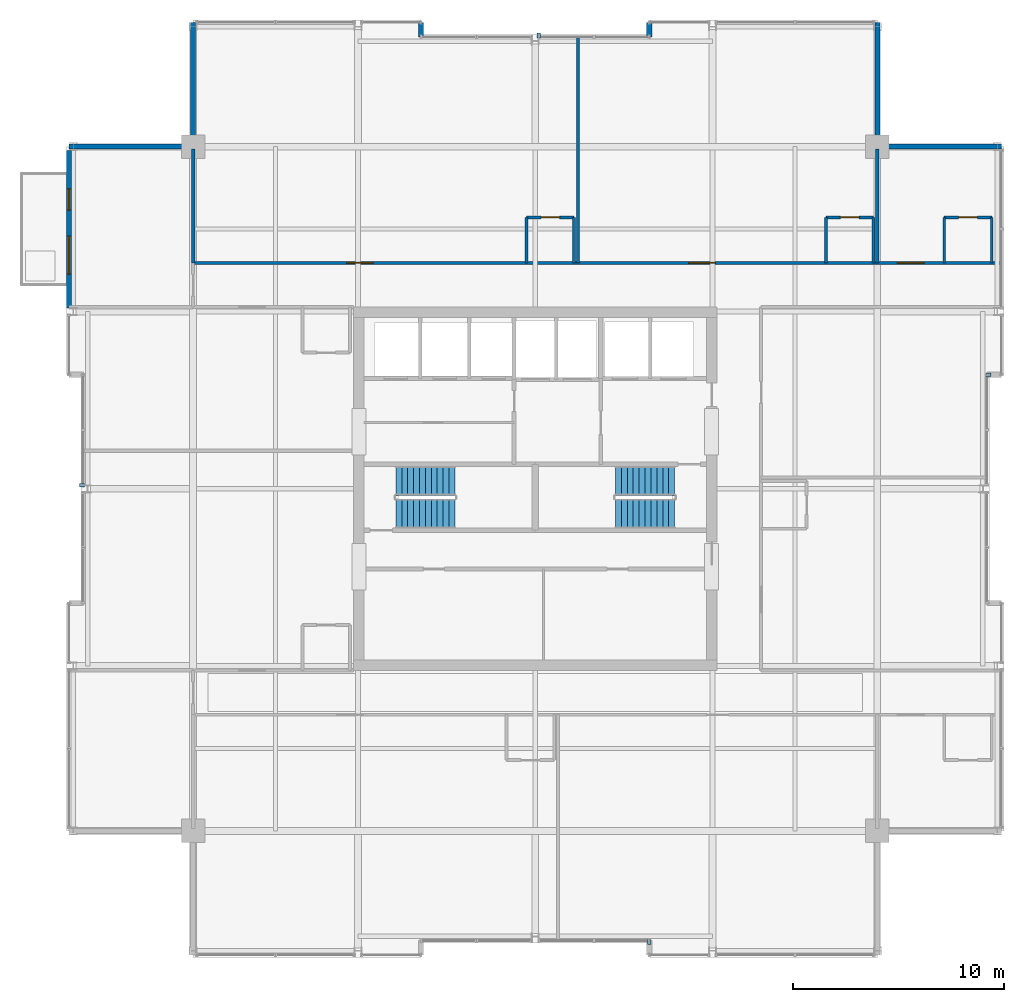
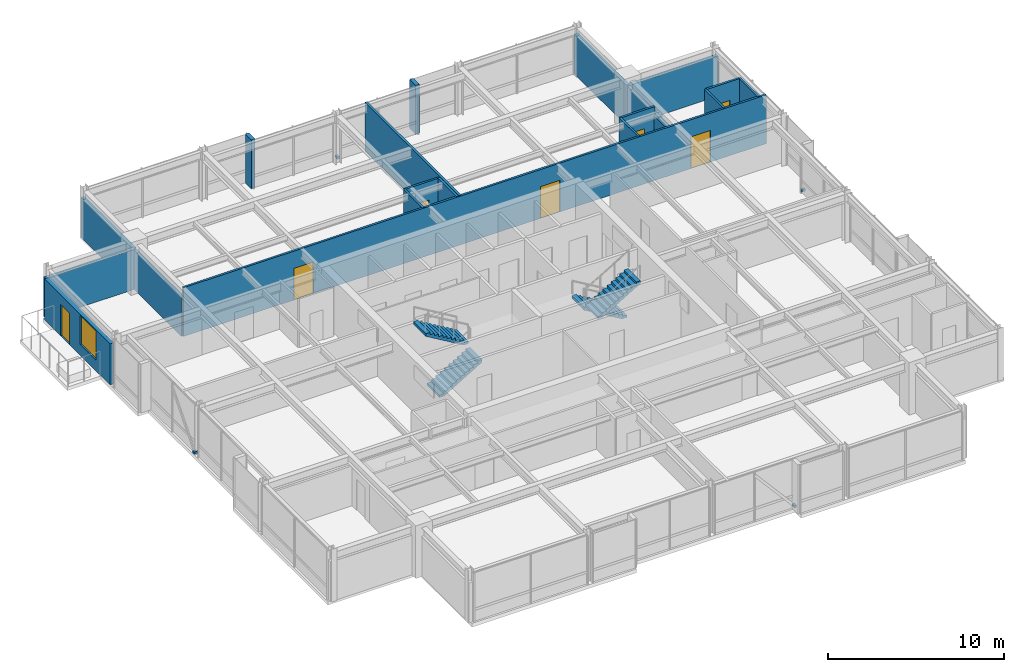
# One storey, part 30 of 33: 20 walls, 7 doors, 4 discrete accessories, 4 stair flights, 1 window, 8 openings, 2 elements without a shape of their own.
"""IFC4 building model written with IfcOpenShell, lengths in metres."""

from ifc_helpers import new_model, si_unit, direction, frame, frame_2d, origin, origin_2d, place, context, subcontext, project, spatial, polyline, rectangle, outline, extrude, material, layer, layer_set, type_object, element, fill, aggregate, save


model = new_model("IFC4")

# Units and contexts
model_context = context("Model", 3, precision=1e-05, world=origin(), true_north=direction((0.0, 1.0)))
body_context = subcontext(model_context, "Body", "Model", "MODEL_VIEW")
ifc_project = project(units=[si_unit("LENGTHUNIT", "METRE"), si_unit("AREAUNIT", "SQUARE_METRE"), si_unit("VOLUMEUNIT", "CUBIC_METRE"), si_unit("PLANEANGLEUNIT", "RADIAN"), si_unit("MASSUNIT", "GRAM", prefix="KILO")], contexts=[model_context])

# Site, building, storey
site_placement = place(None, origin())
site = spatial("IfcSite", under=ifc_project, at=site_placement, CompositionType="ELEMENT")
building_placement = place(site_placement, origin())
building = spatial("IfcBuilding", under=site, at=building_placement, Name="Drelvath Grand Hotel", CompositionType="ELEMENT")
storey_placement = place(building_placement, frame((0.0, 0.0, 279.60009765625)))
storey = spatial("IfcBuildingStorey", under=building, at=storey_placement, Name="L73", CompositionType="ELEMENT", Elevation=279.60009765625)

# Wall, openings, doors
ifc_material_1 = material(Name="Gypsum Fireboard Partition")
ifc_layer_1 = layer(ifc_material_1, 0.135009765625)
ifc_layer_set_1 = layer_set([ifc_layer_1], Name="Gypsum Fireboard Partition")
wall_type_1 = type_object("IfcWallType", Name="Corridor Fire Barrier Wall 135", PredefinedType="PARTITIONING", material=ifc_layer_set_1)
wall_1_placement = place(storey_placement, frame((-16.199951171875, 37.699951171875, 0.0), z_axis=(0.0, 0.0, 1.0), x_axis=(1.0, 0.0, 0.0)))
wall_1 = element("IfcWall", 1, at=wall_1_placement, inside=storey, type_object=wall_type_1, Name="L73 North Cross-Gallery Wall", PredefinedType="PARTITIONING", context=body_context, shape_type="SweptSolid", body=[
    extrude(rectangle(XDim=38.280029296875, YDim=0.135009765625, at=frame_2d((19.14013671875, 0.0))), origin(), (0.0, 0.0, 1.0), 3.389892578125),
])
opening_1_placement = place(wall_1_placement, frame((33.35498046875, 0.0, 0.0)))
opening_1 = element("IfcOpeningElement", 2, at=opening_1_placement, cuts=wall_1, Name="Opening D-T5G2-022", PredefinedType="OPENING", context=body_context, shape_type="SweptSolid", body=[
    extrude(rectangle(XDim=1.260009765625, YDim=2.199951171875, at=frame_2d((0.6298828125, 1.10009765625))), frame((0.0, 0.077392578125, 0.0), z_axis=(0.0, -1.0, 0.0), x_axis=(1.0, 0.0, 0.0)), (0.0, 0.0, 1.0), 0.155029296875),
])
opening_2_placement = place(wall_1_placement, frame((7.267578125, 0.0, 0.0)))
opening_2 = element("IfcOpeningElement", 3, at=opening_2_placement, cuts=wall_1, Name="Opening D-T5G2-027", PredefinedType="OPENING", context=body_context, shape_type="SweptSolid", body=[
    extrude(rectangle(XDim=1.260009765625, YDim=2.199951171875, at=frame_2d((0.6298828125, 1.10009765625))), frame((0.0, 0.077392578125, 0.0), z_axis=(0.0, -1.0, 0.0), x_axis=(1.0, 0.0, 0.0)), (0.0, 0.0, 1.0), 0.155029296875),
])
opening_3_placement = place(wall_1_placement, frame((23.467529296875, 0.0, 0.0)))
opening_3 = element("IfcOpeningElement", 4, at=opening_3_placement, cuts=wall_1, Name="Opening D-T5G2-029", PredefinedType="OPENING", context=body_context, shape_type="SweptSolid", body=[
    extrude(rectangle(XDim=1.260009765625, YDim=2.199951171875, at=frame_2d((0.6298828125, 1.10009765625))), frame((0.0, 0.077392578125, 0.0), z_axis=(0.0, -1.0, 0.0), x_axis=(1.0, 0.0, 0.0)), (0.0, 0.0, 1.0), 0.155029296875),
])
ifc_material_2 = material(Name="Hardwood Walnut Timber", Category="wood")
door_type_1 = type_object("IfcDoorType", Name="Suite Entrance Fire Door 1260x2200", OperationType="NOTDEFINED", PredefinedType="DOOR", material=ifc_material_2)
door_1_placement = place(opening_1_placement, origin())
door_1 = element("IfcDoor", 5, at=door_1_placement, inside=storey, type_object=door_type_1, Name="L73 Royal Suite Entry Door", OperationType="SINGLE_SWING_LEFT", OverallHeight=2.199951171875, OverallWidth=1.260009765625, PredefinedType="DOOR", context=body_context, shape_type="SweptSolid", body=[
    extrude(rectangle(XDim=1.260009765625, YDim=2.199951171875, at=frame_2d((0.6298828125, 1.10009765625))), frame((0.0, 0.02490234375, 0.0), z_axis=(0.0, -1.0, 0.0), x_axis=(1.0, 0.0, 0.0)), (0.0, 0.0, 1.0), 0.050048828125),
])
fill(opening_1, door_1)
door_2_placement = place(opening_2_placement, origin())
door_2 = element("IfcDoor", 6, at=door_2_placement, inside=storey, type_object=door_type_1, Name="L73 Royal Suite Entry Door", OperationType="SINGLE_SWING_RIGHT", OverallHeight=2.199951171875, OverallWidth=1.260009765625, PredefinedType="DOOR", context=body_context, shape_type="SweptSolid", body=[
    extrude(rectangle(XDim=1.260009765625, YDim=2.199951171875, at=frame_2d((0.6298828125, 1.10009765625))), frame((0.0, 0.02490234375, 0.0), z_axis=(0.0, -1.0, 0.0), x_axis=(1.0, 0.0, 0.0)), (0.0, 0.0, 1.0), 0.050048828125),
])
fill(opening_2, door_2)
door_3_placement = place(opening_3_placement, origin())
door_3 = element("IfcDoor", 7, at=door_3_placement, inside=storey, type_object=door_type_1, Name="L73 Royal Suite Entry Door", OperationType="SINGLE_SWING_RIGHT", OverallHeight=2.199951171875, OverallWidth=1.260009765625, PredefinedType="DOOR", context=body_context, shape_type="SweptSolid", body=[
    extrude(rectangle(XDim=1.260009765625, YDim=2.199951171875, at=frame_2d((0.6298828125, 1.10009765625))), frame((0.0, 0.02490234375, 0.0), z_axis=(0.0, -1.0, 0.0), x_axis=(1.0, 0.0, 0.0)), (0.0, 0.0, 1.0), 0.050048828125),
])
fill(opening_3, door_3)

# Walls
ifc_material_3 = material(Name="Moisture-Resistant Gypsum Board")
ifc_layer_2 = layer(ifc_material_3, 0.139892578125)
ifc_layer_set_2 = layer_set([ifc_layer_2], Name="Moisture-Resistant Gypsum Board")
wall_type_2 = type_object("IfcWallType", Name="En-Suite Plumbing Wall 140", PredefinedType="PLUMBINGWALL", material=ifc_layer_set_2)
for number, where, z_axis, x_axis, name in (
    (8, (19.3701171875, 37.699951171875, 0.0), (0.0, 0.0, 1.0), (0.0, 1.0, 0.0), "L73 En-Suite Left Wall"),
    (9, (21.6201171875, 37.699951171875, 0.0), (0.0, 0.0, 1.0), (0.0, 1.0, 0.0), "L73 En-Suite Right Wall"),
):
    element("IfcWall", number, at=place(storey_placement, frame(where, z_axis=z_axis, x_axis=x_axis)), inside=storey, type_object=wall_type_2, Name=name, PredefinedType="PLUMBINGWALL", context=body_context, shape_type="SweptSolid", body=[
        extrude(rectangle(XDim=2.150146484375, YDim=0.139892578125, at=frame_2d((1.0751953125, 0.0))), origin(), (0.0, 0.0, 1.0), 3.389892578125),
    ])

# Wall, opening, door
wall_2_placement = place(storey_placement, frame((19.3701171875, 39.85009765625, 0.0), z_axis=(0.0, 0.0, 1.0), x_axis=(1.0, 0.0, 0.0)))
wall_2 = element("IfcWall", 10, at=wall_2_placement, inside=storey, type_object=wall_type_2, Name="L73 En-Suite Front Wall", PredefinedType="PLUMBINGWALL", context=body_context, shape_type="SweptSolid", body=[
    extrude(rectangle(XDim=2.25, YDim=0.139892578125, at=frame_2d((1.125, 0.0))), origin(), (0.0, 0.0, 1.0), 3.389892578125),
])
opening_4_placement = place(wall_2_placement, frame((0.68505859375, 0.0, 0.0)))
opening_4 = element("IfcOpeningElement", 11, at=opening_4_placement, cuts=wall_2, Name="Opening D-T5G2-021", PredefinedType="OPENING", context=body_context, shape_type="SweptSolid", body=[
    extrude(rectangle(XDim=0.8798828125, YDim=2.10009765625, at=frame_2d((0.43994140625, 1.050048828125))), frame((0.0, 0.079833984375, 0.0), z_axis=(0.0, -1.0, 0.0), x_axis=(1.0, 0.0, 0.0)), (0.0, 0.0, 1.0), 0.159912109375),
])
door_type_2 = type_object("IfcDoorType", Name="En-Suite Bathroom Door 880x2100", OperationType="NOTDEFINED", PredefinedType="DOOR", material=ifc_material_2)
door_4_placement = place(opening_4_placement, origin())
door_4 = element("IfcDoor", 12, at=door_4_placement, inside=storey, type_object=door_type_2, Name="L73 En-Suite Bathroom Door", OperationType="SINGLE_SWING_RIGHT", OverallHeight=2.10009765625, OverallWidth=0.8798828125, PredefinedType="DOOR", context=body_context, shape_type="SweptSolid", body=[
    extrude(rectangle(XDim=0.8798828125, YDim=2.10009765625, at=frame_2d((0.43994140625, 1.050048828125))), frame((0.0, 0.02490234375, 0.0), z_axis=(0.0, -1.0, 0.0), x_axis=(1.0, 0.0, 0.0)), (0.0, 0.0, 1.0), 0.050048828125),
])
fill(opening_4, door_4)

# Walls
for number, where, z_axis, x_axis, name in (
    (13, (-0.405029296875, 37.699951171875, 0.0), (0.0, 0.0, 1.0), (0.0, 1.0, 0.0), "L73 En-Suite Left Wall"),
    (14, (1.844970703125, 37.699951171875, 0.0), (0.0, 0.0, 1.0), (0.0, 1.0, 0.0), "L73 En-Suite Right Wall"),
):
    element("IfcWall", number, at=place(storey_placement, frame(where, z_axis=z_axis, x_axis=x_axis)), inside=storey, type_object=wall_type_2, Name=name, PredefinedType="PLUMBINGWALL", context=body_context, shape_type="SweptSolid", body=[
        extrude(rectangle(XDim=2.150146484375, YDim=0.139892578125, at=frame_2d((1.0751953125, 0.0))), origin(), (0.0, 0.0, 1.0), 3.389892578125),
    ])

# Wall, opening, door
wall_3_placement = place(storey_placement, frame((-0.405029296875, 39.85009765625, 0.0), z_axis=(0.0, 0.0, 1.0), x_axis=(1.0, 0.0, 0.0)))
wall_3 = element("IfcWall", 15, at=wall_3_placement, inside=storey, type_object=wall_type_2, Name="L73 En-Suite Front Wall", PredefinedType="PLUMBINGWALL", context=body_context, shape_type="SweptSolid", body=[
    extrude(rectangle(XDim=2.25, YDim=0.139892578125, at=frame_2d((1.125, 0.0))), origin(), (0.0, 0.0, 1.0), 3.389892578125),
])
opening_5_placement = place(wall_3_placement, frame((0.68505859375, 0.0, 0.0)))
opening_5 = element("IfcOpeningElement", 16, at=opening_5_placement, cuts=wall_3, Name="Opening D-T5G2-026", PredefinedType="OPENING", context=body_context, shape_type="SweptSolid", body=[
    extrude(rectangle(XDim=0.8798828125, YDim=2.10009765625, at=frame_2d((0.43994140625, 1.050048828125))), frame((0.0, 0.079833984375, 0.0), z_axis=(0.0, -1.0, 0.0), x_axis=(1.0, 0.0, 0.0)), (0.0, 0.0, 1.0), 0.159912109375),
])
door_5_placement = place(opening_5_placement, origin())
door_5 = element("IfcDoor", 17, at=door_5_placement, inside=storey, type_object=door_type_2, Name="L73 En-Suite Bathroom Door", OperationType="SINGLE_SWING_LEFT", OverallHeight=2.10009765625, OverallWidth=0.8798828125, PredefinedType="DOOR", context=body_context, shape_type="SweptSolid", body=[
    extrude(rectangle(XDim=0.8798828125, YDim=2.10009765625, at=frame_2d((0.43994140625, 1.050048828125))), frame((0.0, 0.02490234375, 0.0), z_axis=(0.0, -1.0, 0.0), x_axis=(1.0, 0.0, 0.0)), (0.0, 0.0, 1.0), 0.050048828125),
])
fill(opening_5, door_5)

# Walls
wall_4_placement = place(storey_placement, frame((13.77001953125, 37.699951171875, 0.0), z_axis=(0.0, 0.0, 1.0), x_axis=(0.0, 1.0, 0.0)))
element("IfcWall", 18, at=wall_4_placement, inside=storey, type_object=wall_type_2, Name="L73 En-Suite Left Wall", PredefinedType="PLUMBINGWALL", context=body_context, shape_type="SweptSolid", body=[
    extrude(rectangle(XDim=2.150146484375, YDim=0.139892578125, at=frame_2d((1.0751953125, 0.0))), origin(), (0.0, 0.0, 1.0), 3.389892578125),
])
wall_5_placement = place(storey_placement, frame((16.02001953125, 37.699951171875, 0.0), z_axis=(0.0, 0.0, 1.0), x_axis=(0.0, 1.0, 0.0)))
element("IfcWall", 19, at=wall_5_placement, inside=storey, type_object=wall_type_2, Name="L73 En-Suite Right Wall", PredefinedType="PLUMBINGWALL", context=body_context, shape_type="SweptSolid", body=[
    extrude(rectangle(XDim=2.150146484375, YDim=0.139892578125, at=frame_2d((1.0751953125, 0.0))), origin(), (0.0, 0.0, 1.0), 2.763916015625),
])

# Wall, opening, door
wall_6_placement = place(storey_placement, frame((13.77001953125, 39.85009765625, 0.0), z_axis=(0.0, 0.0, 1.0), x_axis=(1.0, 0.0, 0.0)))
wall_6 = element("IfcWall", 20, at=wall_6_placement, inside=storey, type_object=wall_type_2, Name="L73 En-Suite Front Wall", PredefinedType="PLUMBINGWALL", context=body_context, shape_type="SweptSolid", body=[
    extrude(rectangle(XDim=2.25, YDim=0.139892578125, at=frame_2d((1.125, 0.0))), origin(), (0.0, 0.0, 1.0), 3.389892578125),
])
opening_6_placement = place(wall_6_placement, frame((0.68505859375, 0.0, 0.0)))
opening_6 = element("IfcOpeningElement", 21, at=opening_6_placement, cuts=wall_6, Name="Opening D-T5G2-028", PredefinedType="OPENING", context=body_context, shape_type="SweptSolid", body=[
    extrude(rectangle(XDim=0.8798828125, YDim=2.10009765625, at=frame_2d((0.43994140625, 1.050048828125))), frame((0.0, 0.079833984375, 0.0), z_axis=(0.0, -1.0, 0.0), x_axis=(1.0, 0.0, 0.0)), (0.0, 0.0, 1.0), 0.159912109375),
])
door_6_placement = place(opening_6_placement, origin())
door_6 = element("IfcDoor", 22, at=door_6_placement, inside=storey, type_object=door_type_2, Name="L73 En-Suite Bathroom Door", OperationType="SINGLE_SWING_LEFT", OverallHeight=2.10009765625, OverallWidth=0.8798828125, PredefinedType="DOOR", context=body_context, shape_type="SweptSolid", body=[
    extrude(rectangle(XDim=0.8798828125, YDim=2.10009765625, at=frame_2d((0.43994140625, 1.050048828125))), frame((0.0, 0.02490234375, 0.0), z_axis=(0.0, -1.0, 0.0), x_axis=(1.0, 0.0, 0.0)), (0.0, 0.0, 1.0), 0.050048828125),
])
fill(opening_6, door_6)

# Walls
ifc_material_4 = material(Name="Gypsum Acoustic Partition")
ifc_layer_3 = layer(ifc_material_4, 0.14990234375)
ifc_layer_set_3 = layer_set([ifc_layer_3], Name="Gypsum Acoustic Partition")
wall_type_3 = type_object("IfcWallType", Name="Guestroom Demising Wall 150", PredefinedType="PARTITIONING", material=ifc_layer_set_3)
wall_7_placement = place(storey_placement, frame((2.02490234375, 37.699951171875, 0.0), z_axis=(0.0, 0.0, 1.0), x_axis=(0.0, 1.0, 0.0)))
element("IfcWall", 23, at=wall_7_placement, inside=storey, type_object=wall_type_3, Name="L73 North Demising 1", PredefinedType="PARTITIONING", context=body_context, shape_type="SweptSolid", body=[
    extrude(rectangle(XDim=10.699951171875, YDim=0.14990234375, at=frame_2d((5.35009765625, 0.0))), origin(), (0.0, 0.0, 1.0), 3.389892578125),
])
ifc_layer_4 = layer(ifc_material_4, 0.1650390625)
ifc_layer_set_4 = layer_set([ifc_layer_4], Name="Gypsum Acoustic Partition")
wall_type_4 = type_object("IfcWallType", Name="Suite Demising Wall 165", PredefinedType="PARTITIONING", material=ifc_layer_set_4)
for number, where, z_axis, x_axis, name in (
    (24, (-16.199951171875, 37.699951171875, 0.0), (0.0, 0.0, 1.0), (0.0, 1.0, 0.0), "L73 NW Suite Wall"),
    (25, (16.199951171875, 37.699951171875, 0.0), (0.0, 0.0, 1.0), (0.0, 1.0, 0.0), "L73 NE Suite Wall"),
):
    element("IfcWall", number, at=place(storey_placement, frame(where, z_axis=z_axis, x_axis=x_axis)), inside=storey, type_object=wall_type_4, Name=name, PredefinedType="PARTITIONING", context=body_context, shape_type="SweptSolid", body=[
        extrude(rectangle(XDim=5.380126953125, YDim=0.1650390625, at=frame_2d((2.68994140625, 0.0))), origin(), (0.0, 0.0, 1.0), 2.763916015625),
    ])

# Wall, openings, window, door
ifc_material_5 = material(Name="Pale-Metal Insulated Aluminium Spandrel Assembly", Category="aluminium")
ifc_layer_5 = layer(ifc_material_5, 0.239990234375)
ifc_layer_set_5 = layer_set([ifc_layer_5], Name="Pale-Metal Insulated Aluminium Spandrel Assembly")
wall_type_5 = type_object("IfcWallType", Name="Tower Insulated Metal Spandrel Closure Wall 240", PredefinedType="STANDARD", material=ifc_layer_set_5)
wall_8_placement = place(storey_placement, frame((-22.080078125, 35.570068359375, 0.0), z_axis=(0.0, 0.0, 1.0), x_axis=(0.0, 1.0, 0.0)))
wall_8 = element("IfcWall", 26, at=wall_8_placement, inside=storey, type_object=wall_type_5, Name="L73 Exterior Terrace Door Bay Wall WN2", PredefinedType="STANDARD", context=body_context, shape_type="SweptSolid", body=[
    extrude(rectangle(XDim=7.4599609375, YDim=0.239990234375, at=frame_2d((3.72998046875, 0.0))), origin(), (0.0, 0.0, 1.0), 2.853271484375),
])
opening_7_placement = place(wall_8_placement, frame((4.6298828125, 0.0, 0.0)))
opening_7 = element("IfcOpeningElement", 27, at=opening_7_placement, cuts=wall_8, Name="Opening TD-1000", PredefinedType="OPENING", context=body_context, shape_type="SweptSolid", body=[
    extrude(rectangle(XDim=1.0, YDim=2.199951171875, at=frame_2d((0.5, 1.10009765625))), frame((0.0, 0.1298828125, 0.0), z_axis=(0.0, -1.0, 0.0), x_axis=(1.0, 0.0, 0.0)), (0.0, 0.0, 1.0), 0.260009765625),
])
opening_8_placement = place(wall_8_placement, frame((1.591552734375, 0.0, 0.75)))
opening_8 = element("IfcOpeningElement", 28, at=opening_8_placement, cuts=wall_8, Name="Opening W-02", PredefinedType="OPENING", context=body_context, shape_type="SweptSolid", body=[
    extrude(rectangle(XDim=1.800048828125, YDim=2.00341796875, at=frame_2d((0.89990234375, 1.001708984375))), frame((0.0, 0.1298828125, 0.0), z_axis=(0.0, -1.0, 0.0), x_axis=(1.0, 0.0, 0.0)), (0.0, 0.0, 1.0), 0.260009765625),
])
ifc_material_6 = material(Name="Bronze Anodised Low-E Triple Glazing", Category="glass")
window_type = type_object("IfcWindowType", Name="Chicago Double-Pane Podium Window 1800x2400", PartitioningType="DOUBLE_PANEL_VERTICAL", PredefinedType="WINDOW", material=ifc_material_6)
window_placement = place(opening_8_placement, origin())
window = element("IfcWindow", 29, at=window_placement, inside=storey, type_object=window_type, Name="L73 Terrace Bay Companion Window WN2", OverallHeight=2.00341796875, OverallWidth=1.800048828125, PartitioningType="SINGLE_PANEL", PredefinedType="WINDOW", context=body_context, shape_type="SweptSolid", body=[
    extrude(rectangle(XDim=1.800048828125, YDim=2.00341796875, at=frame_2d((0.89990234375, 1.001708984375))), frame((0.0, 0.030029296875, 0.0), z_axis=(0.0, -1.0, 0.0), x_axis=(1.0, 0.0, 0.0)), (0.0, 0.0, 1.0), 0.06005859375),
])
fill(opening_8, window)
ifc_material_7 = material(Name="Anodised Aluminium Thermally Broken Glazed Door", Category="aluminium")
door_type_3 = type_object("IfcDoorType", Name="Terrace and Tree Balcony Glazed Door 1000x2200", OperationType="NOTDEFINED", PredefinedType="DOOR", material=ifc_material_7)
door_7_placement = place(opening_7_placement, origin())
door_7 = element("IfcDoor", 30, at=door_7_placement, inside=storey, type_object=door_type_3, Name="L73 Tree Balcony Door DOOR-L73-TBAL-1", OperationType="SINGLE_SWING_LEFT", OverallHeight=2.199951171875, OverallWidth=1.0, PredefinedType="DOOR", context=body_context, shape_type="SweptSolid", body=[
    extrude(rectangle(XDim=1.0, YDim=2.199951171875, at=frame_2d((0.5, 1.10009765625))), frame((0.0, 0.02490234375, 0.0), z_axis=(0.0, -1.0, 0.0), x_axis=(1.0, 0.0, 0.0)), (0.0, 0.0, 1.0), 0.050048828125),
])
fill(opening_7, door_7)

# Walls
for number, where, z_axis, x_axis, name in (
    (31, (-22.080078125, 43.199951171875, 0.0), (0.0, 0.0, 1.0), (1.0, 0.0, 0.0), "L73 Notched Corner Return Spandrel Wall CNW1"),
    (32, (-16.199951171875, 43.199951171875, 0.0), (0.0, 0.0, 1.0), (0.0, 1.0, 0.0), "L73 Notched Corner Return Spandrel Wall CNW2"),
    (33, (16.199951171875, 49.080078125, 0.0), (0.0, 0.0, 1.0), (0.0, -1.0, 0.0), "L73 Notched Corner Return Spandrel Wall CNE1"),
    (34, (16.199951171875, 43.199951171875, 0.0), (0.0, 0.0, 1.0), (1.0, 0.0, 0.0), "L73 Notched Corner Return Spandrel Wall CNE2"),
):
    element("IfcWall", number, at=place(storey_placement, frame(where, z_axis=z_axis, x_axis=x_axis)), inside=storey, type_object=wall_type_5, Name=name, PredefinedType="STANDARD", context=body_context, shape_type="SweptSolid", body=[
        extrude(rectangle(XDim=5.880126953125, YDim=0.239990234375, at=frame_2d((2.93994140625, 0.0))), origin(), (0.0, 0.0, 1.0), 2.77880859375),
    ])
for number, where, z_axis, x_axis, name in (
    (35, (-5.39990234375, 49.080078125, 0.0), (0.0, 0.0, 1.0), (0.0, -1.0, 0.0), "L73 Notched Corner Return Spandrel Wall RN1"),
    (36, (5.39990234375, 48.39990234375, 0.0), (0.0, 0.0, 1.0), (0.0, 1.0, 0.0), "L73 Notched Corner Return Spandrel Wall RN2"),
):
    element("IfcWall", number, at=place(storey_placement, frame(where, z_axis=z_axis, x_axis=x_axis)), inside=storey, type_object=wall_type_5, Name=name, PredefinedType="STANDARD", context=body_context, shape_type="SweptSolid", body=[
        extrude(rectangle(XDim=0.68017578125, YDim=0.239990234375, at=frame_2d((0.340087890625, 0.0))), origin(), (0.0, 0.0, 1.0), 3.389892578125),
    ])

# Stair, stair flights
ifc_material_8 = material(Name="Concrete C40/50", Category="concrete")
stair_type = type_object("IfcStairType", Name="Dogleg Exit Stair W1400-R165.9", PredefinedType="HALF_TURN_STAIR", material=ifc_material_8)
stair_1_placement = place(storey_placement, origin())
stair_1 = element("IfcStair", 37, at=stair_1_placement, inside=storey, type_object=stair_type, Name="L73 Core Exit Stair ST-1", PredefinedType="HALF_TURN_STAIR")
stair_flight_type = type_object("IfcStairFlightType", Name="Concrete Stair Flight W1400-R165.9", PredefinedType="STRAIGHT", material=ifc_material_8)
stair_flight_1_placement = place(storey_placement, frame((-6.60009765625, 25.820068359375, 0.0), z_axis=(0.0, 0.0, 1.0), x_axis=(1.0, 0.0, 0.0)))
stair_flight_1 = element("IfcStairFlight", 38, at=stair_flight_1_placement, type_object=stair_flight_type, Name="ST-1 flight 1", NumberOfRisers=11, NumberOfTreads=10, PredefinedType="STRAIGHT", RiserHeight=0.165909091, TreadLength=0.28, context=body_context, shape_type="SweptSolid", body=[
    extrude(outline(polyline([(0.0, 0.0), (0.0, 0.166015625), (0.280029296875, 0.166015625), (0.280029296875, 0.331787109375), (0.56005859375, 0.331787109375), (0.56005859375, 0.497802734375), (0.840087890625, 0.497802734375), (0.840087890625, 0.66357421875), (1.1201171875, 0.66357421875), (1.1201171875, 0.82958984375), (1.39990234375, 0.82958984375), (1.39990234375, 0.995361328125), (1.679931640625, 0.995361328125), (1.679931640625, 1.161376953125), (1.9599609375, 1.161376953125), (1.9599609375, 1.327392578125), (2.239990234375, 1.327392578125), (2.239990234375, 1.4931640625), (2.52001953125, 1.4931640625), (2.52001953125, 1.6591796875), (2.800048828125, 1.6591796875), (2.800048828125, 1.824951171875), (2.800048828125, 1.47314453125), (0.313720703125, 0.0), (0.0, 0.0)])), frame((0.0, 0.699951171875, 0.0), z_axis=(0.0, -1.0, 0.0), x_axis=(1.0, 0.0, 0.0)), (0.0, 0.0, 1.0), 1.39990234375),
])
stair_flight_2_placement = place(storey_placement, frame((-3.800048828125, 27.3798828125, 1.824951171875), z_axis=(0.0, 0.0, 1.0), x_axis=(-1.0, 0.0, 0.0)))
stair_flight_2 = element("IfcStairFlight", 39, at=stair_flight_2_placement, type_object=stair_flight_type, Name="ST-1 flight 2", NumberOfRisers=11, NumberOfTreads=10, PredefinedType="STRAIGHT", RiserHeight=0.165909091, TreadLength=0.28, context=body_context, shape_type="SweptSolid", body=[
    extrude(outline(polyline([(0.0, 0.0), (0.0, 0.166015625), (0.280029296875, 0.166015625), (0.280029296875, 0.331787109375), (0.56005859375, 0.331787109375), (0.56005859375, 0.497802734375), (0.840087890625, 0.497802734375), (0.840087890625, 0.66357421875), (1.1201171875, 0.66357421875), (1.1201171875, 0.82958984375), (1.39990234375, 0.82958984375), (1.39990234375, 0.995361328125), (1.679931640625, 0.995361328125), (1.679931640625, 1.161376953125), (1.9599609375, 1.161376953125), (1.9599609375, 1.327392578125), (2.239990234375, 1.327392578125), (2.239990234375, 1.4931640625), (2.52001953125, 1.4931640625), (2.52001953125, 1.6591796875), (2.800048828125, 1.6591796875), (2.800048828125, 1.824951171875), (2.800048828125, 1.47314453125), (0.313720703125, 0.0), (0.0, 0.0)])), frame((0.0, 0.699951171875, 0.0), z_axis=(0.0, -1.0, 0.0), x_axis=(1.0, 0.0, 0.0)), (0.0, 0.0, 1.0), 1.39990234375),
])
aggregate(stair_1, [stair_flight_1, stair_flight_2])

stair_2_placement = place(storey_placement, origin())
stair_2 = element("IfcStair", 40, at=stair_2_placement, inside=storey, type_object=stair_type, Name="L73 Core Exit Stair ST-2", PredefinedType="HALF_TURN_STAIR")
stair_flight_3_placement = place(storey_placement, frame((6.60009765625, 27.3798828125, 0.0), z_axis=(0.0, 0.0, 1.0), x_axis=(-1.0, 0.0, 0.0)))
stair_flight_3 = element("IfcStairFlight", 41, at=stair_flight_3_placement, type_object=stair_flight_type, Name="ST-2 flight 1", NumberOfRisers=11, NumberOfTreads=10, PredefinedType="STRAIGHT", RiserHeight=0.165909091, TreadLength=0.28, context=body_context, shape_type="SweptSolid", body=[
    extrude(outline(polyline([(0.0, 0.0), (0.0, 0.166015625), (0.280029296875, 0.166015625), (0.280029296875, 0.331787109375), (0.56005859375, 0.331787109375), (0.56005859375, 0.497802734375), (0.840087890625, 0.497802734375), (0.840087890625, 0.66357421875), (1.1201171875, 0.66357421875), (1.1201171875, 0.82958984375), (1.39990234375, 0.82958984375), (1.39990234375, 0.995361328125), (1.679931640625, 0.995361328125), (1.679931640625, 1.161376953125), (1.9599609375, 1.161376953125), (1.9599609375, 1.327392578125), (2.239990234375, 1.327392578125), (2.239990234375, 1.4931640625), (2.52001953125, 1.4931640625), (2.52001953125, 1.6591796875), (2.800048828125, 1.6591796875), (2.800048828125, 1.824951171875), (2.800048828125, 1.47314453125), (0.313720703125, 0.0), (0.0, 0.0)])), frame((0.0, 0.699951171875, 0.0), z_axis=(0.0, -1.0, 0.0), x_axis=(1.0, 0.0, 0.0)), (0.0, 0.0, 1.0), 1.39990234375),
])
stair_flight_4_placement = place(storey_placement, frame((3.800048828125, 25.820068359375, 1.824951171875), z_axis=(0.0, 0.0, 1.0), x_axis=(1.0, 0.0, 0.0)))
stair_flight_4 = element("IfcStairFlight", 42, at=stair_flight_4_placement, type_object=stair_flight_type, Name="ST-2 flight 2", NumberOfRisers=11, NumberOfTreads=10, PredefinedType="STRAIGHT", RiserHeight=0.165909091, TreadLength=0.28, context=body_context, shape_type="SweptSolid", body=[
    extrude(outline(polyline([(0.0, 0.0), (0.0, 0.166015625), (0.280029296875, 0.166015625), (0.280029296875, 0.331787109375), (0.56005859375, 0.331787109375), (0.56005859375, 0.497802734375), (0.840087890625, 0.497802734375), (0.840087890625, 0.66357421875), (1.1201171875, 0.66357421875), (1.1201171875, 0.82958984375), (1.39990234375, 0.82958984375), (1.39990234375, 0.995361328125), (1.679931640625, 0.995361328125), (1.679931640625, 1.161376953125), (1.9599609375, 1.161376953125), (1.9599609375, 1.327392578125), (2.239990234375, 1.327392578125), (2.239990234375, 1.4931640625), (2.52001953125, 1.4931640625), (2.52001953125, 1.6591796875), (2.800048828125, 1.6591796875), (2.800048828125, 1.824951171875), (2.800048828125, 1.47314453125), (0.313720703125, 0.0), (0.0, 0.0)])), frame((0.0, 0.699951171875, 0.0), z_axis=(0.0, -1.0, 0.0), x_axis=(1.0, 0.0, 0.0)), (0.0, 0.0, 1.0), 1.39990234375),
])
aggregate(stair_2, [stair_flight_3, stair_flight_4])

# Discrete accessories
ifc_material_9 = material(Name="Stainless Steel Grade 316", Category="steel")
discrete_accessory_type = type_object("IfcDiscreteAccessoryType", Name="Curtain Wall Fin Mounting Bracket Cleat", PredefinedType="BRACKET", material=ifc_material_9)
for number, where, z_axis, x_axis, name in (
    (43, (-21.4599609375, 27.169921875, 0.10009765625), (0.0, 0.0, 1.0), (0.0, 1.0, 0.0), "L73 Fin Mounting Bracket CW05-L73-WM2-1"),
    (44, (21.4599609375, 32.39990234375, 0.10009765625), (0.0, 0.0, 1.0), (0.0, -1.0, 0.0), "L73 Fin Mounting Bracket CW05-L73-EM2-1"),
    (45, (0.170166015625, 48.4599609375, 0.10009765625), (0.0, 0.0, 1.0), (1.0, 0.0, 0.0), "L73 Fin Mounting Bracket CW05-L73-NM2-1"),
    (46, (5.39990234375, 5.5400390625, 0.10009765625), (0.0, 0.0, 1.0), (-1.0, 0.0, 0.0), "L73 Fin Mounting Bracket CW05-L73-SM2-1"),
):
    element("IfcDiscreteAccessory", number, at=place(storey_placement, frame(where, z_axis=z_axis, x_axis=x_axis)), inside=storey, type_object=discrete_accessory_type, Name=name, PredefinedType="BRACKET", context=body_context, shape_type="SweptSolid", body=[
        extrude(rectangle(XDim=0.159912109375, YDim=0.239990234375, at=origin_2d()), origin(), (0.0, 0.0, 1.0), 0.159912109375),
    ])

save(model, "model.ifc")
